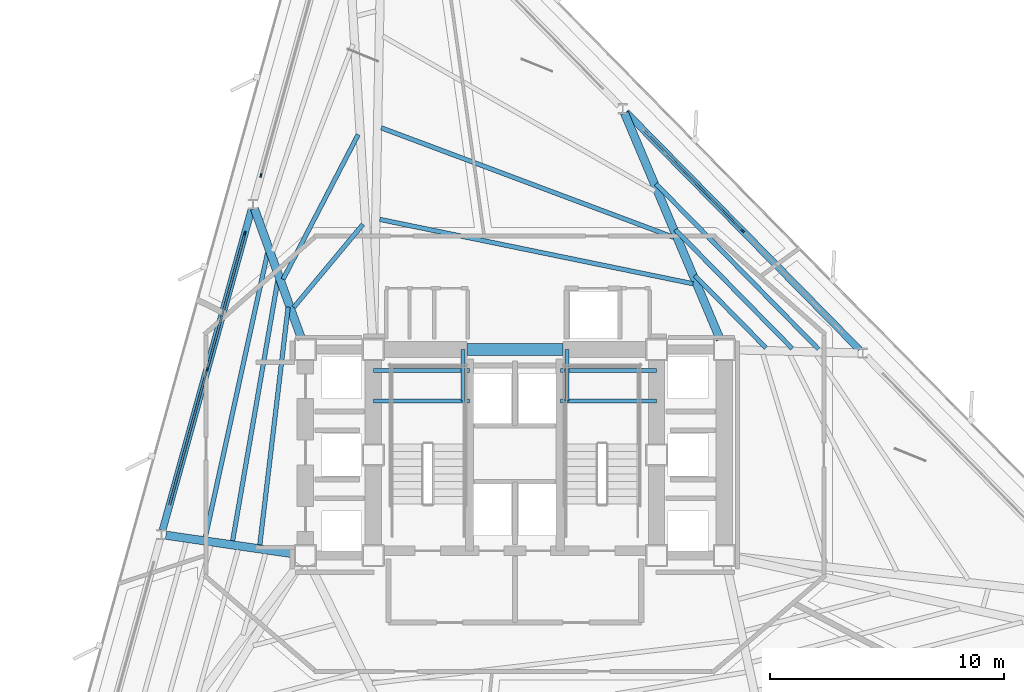
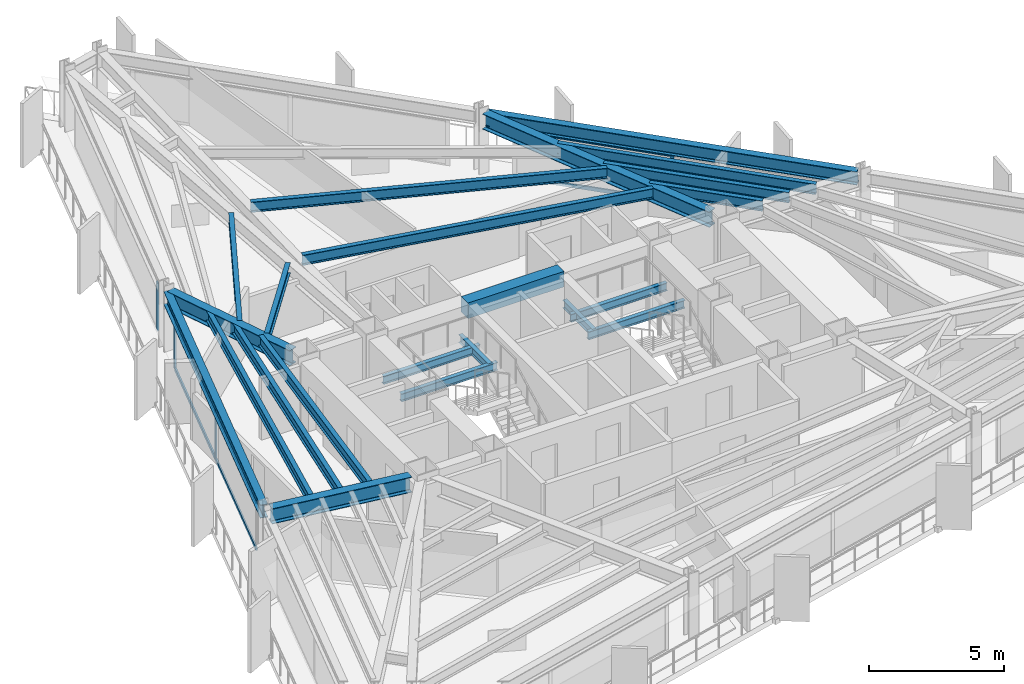
# One storey, part 3 of 11: 22 beams, 10 members, 3 elements without a shape of their own.
"""IFC4 building model written with IfcOpenShell, lengths in metres."""

import ifcopenshell
import ifcopenshell.guid

model = None  # the IFC model being written
_history = None  # IfcOwnerHistory: only IFC2X3 demands one
_inside = {}  # id of a spatial element -> (the spatial element, [elements in it])
_under = {}  # id of a project, library or spatial element -> (it, [spatial elements below it])
_declared = {}  # id of a project -> (the project, [libraries it declares])
_typed = {}  # id of a type object -> (the type object, [elements of that type])
_made_of = {}  # id of a material, layer set ... -> (it, [elements and type objects made of it])


def new_model(schema):
    """Start an empty IFC model of exactly this schema.

    Asked for "IFC4X3", IfcOpenShell would pick the latest addendum, in which some entities
    have other attributes; the version numbers below select the first issue.
    IFC2X3 requires an IfcOwnerHistory on every rooted entity: one is made here for all.
    """
    global model, _history
    if schema == "IFC4X3":
        model = ifcopenshell.file(schema_version=(4, 3, 0, 0))
    else:
        model = ifcopenshell.file(schema=schema)
    _inside.clear()
    _under.clear()
    _declared.clear()
    _typed.clear()
    _made_of.clear()
    _history = None
    if model.schema == "IFC2X3":
        org = make("IfcOrganization", Name="unknown")
        user = make(
            "IfcPersonAndOrganization",
            ThePerson=make("IfcPerson", FamilyName="unknown"),
            TheOrganization=org,
        )
        app = make(
            "IfcApplication",
            ApplicationDeveloper=org,
            Version="unknown",
            ApplicationFullName="unknown",
            ApplicationIdentifier="unknown",
        )
        _history = make(
            "IfcOwnerHistory",
            OwningUser=user,
            OwningApplication=app,
            ChangeAction="ADDED",
            CreationDate=0,
        )
    return model


def make(cls, **values):
    """One entity of the class cls with the attributes given. An attribute that is None is left unset."""
    return model.create_entity(
        cls, **{name: value for name, value in values.items() if value is not None}
    )


def rooted(cls, **values):
    """An entity with a GlobalId (a new one), such as an element, a storey or a relation."""
    return make(cls, GlobalId=ifcopenshell.guid.new(), OwnerHistory=_history, **values)


def si_unit(unit_type, name, prefix=None):
    """IfcSIUnit, for example si_unit("LENGTHUNIT", "METRE", prefix="MILLI")."""
    return make("IfcSIUnit", UnitType=unit_type, Prefix=prefix, Name=name)


def assignment(units):
    """IfcUnitAssignment: the units of a project."""
    return None if units is None else make("IfcUnitAssignment", Units=units)


def point(xyz):
    """IfcCartesianPoint."""
    return None if xyz is None else make("IfcCartesianPoint", Coordinates=xyz)


def direction(xyz):
    """IfcDirection."""
    return None if xyz is None else make("IfcDirection", DirectionRatios=xyz)


def frame(location, z_axis=None, x_axis=None):
    """IfcAxis2Placement3D, a coordinate frame: its origin and axes. An axis left out is left unset."""
    return make(
        "IfcAxis2Placement3D",
        Location=point(location),
        Axis=direction(z_axis),
        RefDirection=direction(x_axis),
    )


def frame_2d(location, x_axis=None):
    """IfcAxis2Placement2D, a coordinate frame in the plane: its origin and x axis."""
    return make(
        "IfcAxis2Placement2D", Location=point(location), RefDirection=direction(x_axis)
    )


def origin():
    """The frame at (0, 0, 0) with its axes left unset."""
    return frame((0.0, 0.0, 0.0))


def origin_2d():
    """The frame at (0, 0) in the plane with its x axis left unset."""
    return frame_2d((0.0, 0.0))


def place(relative_to, where):
    """IfcLocalPlacement: puts the frame where relative to a parent placement (None: the world)."""
    return make(
        "IfcLocalPlacement", PlacementRelTo=relative_to, RelativePlacement=where
    )


def context(
    kind, dimensions, precision=None, world=None, true_north=None, identifier=None
):
    """IfcGeometricRepresentationContext, for example the 3D "Model" context."""
    return make(
        "IfcGeometricRepresentationContext",
        ContextIdentifier=identifier,
        ContextType=kind,
        CoordinateSpaceDimension=dimensions,
        Precision=precision,
        WorldCoordinateSystem=world,
        TrueNorth=true_north,
    )


def subcontext(parent, identifier, kind, view, scale=None):
    """IfcGeometricRepresentationSubContext, for example "Body" below "Model"."""
    return make(
        "IfcGeometricRepresentationSubContext",
        ContextIdentifier=identifier,
        ContextType=kind,
        ParentContext=parent,
        TargetScale=scale,
        TargetView=view,
    )


def project(units=None, contexts=None):
    """IfcProject with its units and contexts."""
    return rooted(
        "IfcProject",
        Name="project",
        RepresentationContexts=contexts,
        UnitsInContext=assignment(units),
    )


def spatial(cls, under=None, at=None, **own):
    """A site, building, storey or space (cls), placed at a placement, below another one or the project."""
    s = rooted(cls, ObjectPlacement=at, **own)
    if under is not None:
        _under.setdefault(under.id(), (under, []))[1].append(s)
    return s


def profile(cls, at=None, kind="AREA", **sizes):
    """A parametric profile (cls). Its sizes go by their IFC names, for example OverallWidth=200.0."""
    return make(cls, ProfileType=kind, Position=at, **sizes)


def rectangle(**sizes):
    """IfcRectangleProfileDef."""
    return profile("IfcRectangleProfileDef", **sizes)


def i_section(**sizes):
    """IfcIShapeProfileDef."""
    return profile("IfcIShapeProfileDef", **sizes)


def extrude(swept, where, along, depth):
    """IfcExtrudedAreaSolid: the profile swept, set in the frame where, extruded along a direction by depth."""
    return make(
        "IfcExtrudedAreaSolid",
        SweptArea=swept,
        Position=where,
        ExtrudedDirection=direction(along),
        Depth=depth,
    )


def shape(context_of_items, identifier, shape_type, items):
    """IfcShapeRepresentation: the items that make up one representation, for example the "Body"."""
    return make(
        "IfcShapeRepresentation",
        ContextOfItems=context_of_items,
        RepresentationIdentifier=identifier,
        RepresentationType=shape_type,
        Items=items,
    )


def material(Name=None, Category=None):
    """IfcMaterial."""
    return make("IfcMaterial", Name=Name, Category=Category)


def layer(
    of_material, thickness, ventilated=None, Name=None, Category=None, Priority=None
):
    """IfcMaterialLayer: one layer of a wall or slab, of a material (None: an air gap)."""
    return make(
        "IfcMaterialLayer",
        Material=of_material,
        LayerThickness=thickness,
        IsVentilated=ventilated,
        Name=Name,
        Category=Category,
        Priority=Priority,
    )


def layer_set(layers, Name=None):
    """IfcMaterialLayerSet."""
    return make("IfcMaterialLayerSet", MaterialLayers=layers, LayerSetName=Name)


def material_profile(
    of_material, cross_section, Name=None, Category=None, Priority=None
):
    """IfcMaterialProfile: a cross section and its material."""
    return make(
        "IfcMaterialProfile",
        Name=Name,
        Material=of_material,
        Profile=cross_section,
        Priority=Priority,
        Category=Category,
    )


def profile_set(profiles, Name=None, composite=None):
    """IfcMaterialProfileSet."""
    return make(
        "IfcMaterialProfileSet",
        Name=Name,
        MaterialProfiles=profiles,
        CompositeProfile=composite,
    )


def made_of(thing, what):
    """Note that an element or type object is made of a material, layer set ...; save() writes the relation."""
    if what is not None:
        _made_of.setdefault(what.id(), (what, []))[1].append(thing)
    return thing


def type_object(cls, material=None, **own):
    """A type object (cls), such as IfcWallType, which elements share."""
    return made_of(rooted(cls, **own), material)


def element(
    cls,
    number,
    at=None,
    inside=None,
    cuts=None,
    type_object=None,
    material=None,
    context=None,
    identifier="Body",
    shape_type=None,
    held_by="IfcProductDefinitionShape",
    body=None,
    shapes=None,
    **own,
):
    """One element of the class cls, such as IfcWall. Its Tag is "e" and its number.

    at: its placement. inside: the storey or other place that contains it. cuts: it is an
    opening in that element (IfcRelVoidsElement). A single representation is given by context,
    identifier, shape_type and body (its items); several are given by shapes. held_by: the class
    of the entity that holds the representations. save() writes the other relations.
    """
    e = rooted(cls, Tag="e%d" % number, ObjectPlacement=at, **own)
    if body is not None:
        shapes = [shape(context, identifier, shape_type, body)]
    if shapes is not None:
        e.Representation = make(held_by, Representations=shapes)
    if inside is not None:
        _inside.setdefault(inside.id(), (inside, []))[1].append(e)
    if cuts is not None:
        rooted(
            "IfcRelVoidsElement", RelatingBuildingElement=cuts, RelatedOpeningElement=e
        )
    if type_object is not None:
        _typed.setdefault(type_object.id(), (type_object, []))[1].append(e)
    return made_of(e, material)


def aggregate(whole, parts):
    """IfcRelAggregates: a whole, such as a stair, and the parts it consists of."""
    return rooted("IfcRelAggregates", RelatingObject=whole, RelatedObjects=parts)


def save(model, path):
    """Write the relations noted so far, then the file.

    IfcRelAggregates (storeys below a building ...), IfcRelContainedInSpatialStructure (elements
    in a storey), IfcRelDefinesByType, IfcRelAssociatesMaterial and IfcRelDeclares: one each for
    every whole, place, type object, material and project.
    """
    for whole, parts in _under.values():
        aggregate(whole, parts)
    for where, things in _inside.values():
        rooted(
            "IfcRelContainedInSpatialStructure",
            RelatedElements=things,
            RelatingStructure=where,
        )
    for kind, things in _typed.values():
        rooted("IfcRelDefinesByType", RelatedObjects=things, RelatingType=kind)
    for what, things in _made_of.values():
        rooted("IfcRelAssociatesMaterial", RelatedObjects=things, RelatingMaterial=what)
    for by, libraries in _declared.values():
        rooted("IfcRelDeclares", RelatingContext=by, RelatedDefinitions=libraries)
    model.write(path)


model = new_model("IFC4")

# Units and contexts
model_context = context("Model", 3, precision=1e-05, world=origin(), true_north=direction((0.0, 1.0)))
body_context = subcontext(model_context, "Body", "Model", "MODEL_VIEW")
ifc_project = project(units=[si_unit("LENGTHUNIT", "METRE"), si_unit("AREAUNIT", "SQUARE_METRE"), si_unit("VOLUMEUNIT", "CUBIC_METRE"), si_unit("PLANEANGLEUNIT", "RADIAN"), si_unit("MASSUNIT", "GRAM", prefix="KILO")], contexts=[model_context])

# Site, building, storey
site_placement = place(None, origin())
site = spatial("IfcSite", under=ifc_project, at=site_placement, CompositionType="ELEMENT")
building_placement = place(site_placement, origin())
building = spatial("IfcBuilding", under=site, at=building_placement, Name="Rocaltana Carrier Exchange", CompositionType="ELEMENT")
storey_placement = place(building_placement, frame((0.0, 0.0, 88.639892578125)))
storey = spatial("IfcBuildingStorey", under=building, at=storey_placement, Name="L27", CompositionType="ELEMENT", Elevation=88.639892578125)

# Curtain wall, member
ifc_material_1 = material(Name="Aluminium 6063-T6", Category="aluminium")
ifc_layer = layer(ifc_material_1, 0.1650390625)
ifc_layer_set = layer_set([ifc_layer], Name="Aluminium 6063-T6")
curtain_wall_type = type_object("IfcCurtainWallType", Name="Lower-Mid Stepped Curtain Wall CW-02", PredefinedType="NOTDEFINED", material=ifc_layer_set)
curtain_wall_1_placement = place(storey_placement, origin())
curtain_wall_1 = element("IfcCurtainWall", 1, at=curtain_wall_1_placement, inside=storey, type_object=curtain_wall_type, Name="L27 CW-02 Run CW-L27-F1S2", PredefinedType="NOTDEFINED")
ifc_material_2 = material(Name="Aluminium 6063-T6", Category="aluminium")
ifc_material_profile_1 = material_profile(ifc_material_2, rectangle(XDim=0.06494140625, YDim=0.1650390625, at=origin_2d()), Name="AL-65X165")
ifc_profile_set_1 = profile_set([ifc_material_profile_1], Name="Aluminium 6063-T6")
member_type_1 = type_object("IfcMemberType", Name="CW-02 Mullion AL-65X165", PredefinedType="MULLION", material=ifc_profile_set_1)
member_1_placement = place(storey_placement, frame((9.732666015625, 9.564453125, 0.0), z_axis=(0.0, 0.0, 1.0), x_axis=(-0.713244696676, -0.700915118017, 0.0)))
member_1 = element("IfcMember", 2, at=member_1_placement, type_object=member_type_1, Name="CW-02 mullion 2", PredefinedType="MULLION", context=body_context, shape_type="SweptSolid", body=[
    extrude(rectangle(XDim=0.06494140625, YDim=0.1650390625, at=origin_2d()), origin(), (0.0, 0.0, 1.0), 2.168212890625),
])

curtain_wall_2_placement = place(storey_placement, origin())
curtain_wall_2 = element("IfcCurtainWall", 3, at=curtain_wall_2_placement, inside=storey, type_object=curtain_wall_type, Name="L27 CW-02 Run CW-L27-F2S1", PredefinedType="NOTDEFINED")
member_2_placement = place(storey_placement, frame((-10.851318359375, 11.93310546875, 0.0), z_axis=(0.0, 0.0, 1.0), x_axis=(0.96362846453, -0.267245546918, 0.0)))
member_2 = element("IfcMember", 4, at=member_2_placement, type_object=member_type_1, Name="CW-02 mullion 3", PredefinedType="MULLION", context=body_context, shape_type="SweptSolid", body=[
    extrude(rectangle(XDim=0.06494140625, YDim=0.1650390625, at=origin_2d()), origin(), (0.0, 0.0, 1.0), 2.168212890625),
])
aggregate(curtain_wall_2, [member_2])

# Curtain wall, members
curtain_wall_3_placement = place(storey_placement, origin())
curtain_wall_3 = element("IfcCurtainWall", 5, at=curtain_wall_3_placement, inside=storey, type_object=curtain_wall_type, Name="L27 CW-02 Run CW-L27-F2S2", PredefinedType="NOTDEFINED")
member_3_placement = place(storey_placement, frame((-11.536865234375, 9.46142578125, 0.0), z_axis=(0.0, 0.0, 1.0), x_axis=(0.963630586954, -0.267237893807, 0.0)))
member_3 = element("IfcMember", 6, at=member_3_placement, type_object=member_type_1, Name="CW-02 mullion 1", PredefinedType="MULLION", context=body_context, shape_type="SweptSolid", body=[
    extrude(rectangle(XDim=0.06494140625, YDim=0.1650390625, at=origin_2d()), origin(), (0.0, 0.0, 1.0), 2.168212890625),
])
member_4_placement = place(storey_placement, frame((-13.1494140625, 3.646728515625, 0.0), z_axis=(0.0, 0.0, 1.0), x_axis=(0.963630586954, -0.267237893807, 0.0)))
member_4 = element("IfcMember", 7, at=member_4_placement, type_object=member_type_1, Name="CW-02 mullion 2", PredefinedType="MULLION", context=body_context, shape_type="SweptSolid", body=[
    extrude(rectangle(XDim=0.06494140625, YDim=0.1650390625, at=origin_2d()), origin(), (0.0, 0.0, 1.0), 2.168212890625),
])

# Member
ifc_material_3 = material(Name="Aluminium 6063-T6", Category="aluminium")
ifc_material_profile_2 = material_profile(ifc_material_3, rectangle(XDim=0.06494140625, YDim=0.1650390625, at=origin_2d()), Name="AL-65X165")
ifc_profile_set_2 = profile_set([ifc_material_profile_2], Name="Aluminium 6063-T6")
member_type_2 = type_object("IfcMemberType", Name="CW-02 Transom AL-65X165", PredefinedType="USERDEFINED", material=ifc_profile_set_2)
member_5_placement = place(storey_placement, frame((9.7099609375, 9.587646484375, 0.03271484375), z_axis=(-0.700924352217, 0.713235621985, 0.0), x_axis=(-0.713235621985, -0.700924352217, 0.0)))
member_5 = element("IfcMember", 8, at=member_5_placement, type_object=member_type_2, Name="CW-02 transom 2.1", ObjectType="TRANSOM", PredefinedType="USERDEFINED", context=body_context, shape_type="SweptSolid", body=[
    extrude(rectangle(XDim=0.06494140625, YDim=0.1650390625, at=origin_2d()), origin(), (0.0, 0.0, 1.0), 5.968994140625),
])

member_6_placement = place(storey_placement, frame((9.7099609375, 9.587646484375, 2.135498046875), z_axis=(-0.700924352217, 0.713235621985, 0.0), x_axis=(-0.713235621985, -0.700924352217, 0.0)))
member_6 = element("IfcMember", 9, at=member_6_placement, type_object=member_type_2, Name="CW-02 transom 2.2", ObjectType="TRANSOM", PredefinedType="USERDEFINED", context=body_context, shape_type="SweptSolid", body=[
    extrude(rectangle(XDim=0.06494140625, YDim=0.1650390625, at=origin_2d()), origin(), (0.0, 0.0, 1.0), 5.968994140625),
])

aggregate(curtain_wall_1, [member_1, member_5, member_6])

member_7_placement = place(storey_placement, frame((-11.54541015625, 9.43017578125, 0.03271484375), z_axis=(-0.267236720875, -0.963630912235, 0.0), x_axis=(0.963630912235, -0.267236720875, 0.0)))
member_7 = element("IfcMember", 10, at=member_7_placement, type_object=member_type_2, Name="CW-02 transom 1.1", ObjectType="TRANSOM", PredefinedType="USERDEFINED", context=body_context, shape_type="SweptSolid", body=[
    extrude(rectangle(XDim=0.06494140625, YDim=0.1650390625, at=origin_2d()), origin(), (0.0, 0.0, 1.0), 5.96923828125),
])

member_8_placement = place(storey_placement, frame((-11.54541015625, 9.43017578125, 2.135498046875), z_axis=(-0.267236720875, -0.963630912235, 0.0), x_axis=(0.963630912235, -0.267236720875, 0.0)))
member_8 = element("IfcMember", 11, at=member_8_placement, type_object=member_type_2, Name="CW-02 transom 1.2", ObjectType="TRANSOM", PredefinedType="USERDEFINED", context=body_context, shape_type="SweptSolid", body=[
    extrude(rectangle(XDim=0.06494140625, YDim=0.1650390625, at=origin_2d()), origin(), (0.0, 0.0, 1.0), 5.96923828125),
])

member_9_placement = place(storey_placement, frame((-13.157958984375, 3.615234375, 0.03271484375), z_axis=(-0.26724725359, -0.963627991213, 0.0), x_axis=(0.963627991213, -0.26724725359, 0.0)))
member_9 = element("IfcMember", 12, at=member_9_placement, type_object=member_type_2, Name="CW-02 transom 2.1", ObjectType="TRANSOM", PredefinedType="USERDEFINED", context=body_context, shape_type="SweptSolid", body=[
    extrude(rectangle(XDim=0.06494140625, YDim=0.1650390625, at=origin_2d()), origin(), (0.0, 0.0, 1.0), 5.968994140625),
])

member_10_placement = place(storey_placement, frame((-13.157958984375, 3.615234375, 2.135498046875), z_axis=(-0.26724725359, -0.963627991213, 0.0), x_axis=(0.963627991213, -0.26724725359, 0.0)))
member_10 = element("IfcMember", 13, at=member_10_placement, type_object=member_type_2, Name="CW-02 transom 2.2", ObjectType="TRANSOM", PredefinedType="USERDEFINED", context=body_context, shape_type="SweptSolid", body=[
    extrude(rectangle(XDim=0.06494140625, YDim=0.1650390625, at=origin_2d()), origin(), (0.0, 0.0, 1.0), 5.968994140625),
])

aggregate(curtain_wall_3, [member_3, member_4, member_7, member_8, member_9, member_10])

# Beams
ifc_material_4 = material(Name="Concrete C60/75", Category="concrete")
ifc_material_profile_3 = material_profile(ifc_material_4, rectangle(XDim=0.5, YDim=0.699951171875, at=origin_2d()), Name="RC-BM-500X700")
ifc_profile_set_3 = profile_set([ifc_material_profile_3], Name="Concrete C60/75")
beam_type_1 = type_object("IfcBeamType", Name="Core Coupling Lintel 500x700", PredefinedType="LINTEL", material=ifc_profile_set_3)
beam_1_placement = place(storey_placement, frame((-2.050048828125, 4.5, 2.43798828125), z_axis=(1.0, 0.0, 0.0), x_axis=(0.0, 1.0, 0.0)))
element("IfcBeam", 14, at=beam_1_placement, inside=storey, type_object=beam_type_1, Name="L27 Core Coupling Lintel CL-N", PredefinedType="LINTEL", context=body_context, shape_type="SweptSolid", body=[
    extrude(rectangle(XDim=0.5, YDim=0.699951171875, at=origin_2d()), origin(), (0.0, 0.0, 1.0), 4.10009765625),
])
ifc_material_5 = material(Name="Steel S355", Category="steel")
ifc_material_profile_4 = material_profile(ifc_material_5, i_section(OverallWidth=0.172119140625, OverallDepth=0.35791015625, WebThickness=0.0078125, FlangeThickness=0.01318359375, FilletRadius=0.011962890625, at=origin_2d()), Name="W14X38")
ifc_profile_set_4 = profile_set([ifc_material_profile_4], Name="Steel S355")
beam_type_2 = type_object("IfcBeamType", Name="Floor Joist W14X38", PredefinedType="JOIST", material=ifc_profile_set_4)
for number, where, z_axis, x_axis, name in (
    (15, (-6.050048828125, 2.300048828125, 1.14111328125), (1.0, 0.0, 0.0), (0.0, 1.0, 0.0), "L27 ST-1 Landing Carrier 1"),
    (16, (1.93994140625, 2.300048828125, 1.14111328125), (1.0, 0.0, 0.0), (0.0, 1.0, 0.0), "L27 ST-2 Landing Carrier 1"),
    (17, (-6.050048828125, 3.60009765625, 1.14111328125), (1.0, 0.0, 0.0), (0.0, 1.0, 0.0), "L27 ST-1 Landing Carrier 2"),
    (18, (1.93994140625, 3.60009765625, 1.14111328125), (1.0, 0.0, 0.0), (0.0, 1.0, 0.0), "L27 ST-2 Landing Carrier 2"),
):
    element("IfcBeam", number, at=place(storey_placement, frame(where, z_axis=z_axis, x_axis=x_axis)), inside=storey, type_object=beam_type_2, Name=name, PredefinedType="JOIST", context=body_context, shape_type="SweptSolid", body=[
        extrude(i_section(OverallWidth=0.172119140625, OverallDepth=0.35791015625, WebThickness=0.0078125, FlangeThickness=0.01318359375, FilletRadius=0.011962890625, at=origin_2d()), origin(), (0.0, 0.0, 1.0), 4.110107421875),
    ])
for number, where, z_axis, x_axis, name in (
    (19, (-2.219970703125, 2.300048828125, 1.14111328125), (0.0, 1.0, 0.0), (-1.0, 0.0, 0.0), "L27 ST-1 Landing Cross Trimmer"),
    (20, (2.219970703125, 2.300048828125, 1.14111328125), (0.0, 1.0, 0.0), (-1.0, 0.0, 0.0), "L27 ST-2 Landing Cross Trimmer"),
):
    element("IfcBeam", number, at=place(storey_placement, frame(where, z_axis=z_axis, x_axis=x_axis)), inside=storey, type_object=beam_type_2, Name=name, PredefinedType="JOIST", context=body_context, shape_type="SweptSolid", body=[
        extrude(i_section(OverallWidth=0.172119140625, OverallDepth=0.35791015625, WebThickness=0.0078125, FlangeThickness=0.01318359375, FilletRadius=0.011962890625, at=origin_2d()), origin(), (0.0, 0.0, 1.0), 2.199951171875),
    ])
ifc_material_6 = material(Name="Steel S355", Category="steel")
ifc_material_profile_5 = material_profile(ifc_material_6, i_section(OverallWidth=0.193115234375, OverallDepth=0.466064453125, WebThickness=0.011474609375, FlangeThickness=0.01904296875, FilletRadius=0.013916015625, at=origin_2d()), Name="W18X65")
ifc_profile_set_5 = profile_set([ifc_material_profile_5], Name="Steel S355")
beam_type_3 = type_object("IfcBeamType", Name="Floor Joist W18X65", PredefinedType="JOIST", material=ifc_profile_set_5)
beam_2_placement = place(storey_placement, frame((10.72119140625, 4.572998046875, 2.55517578125), z_axis=(-0.700891063864, 0.713268334216, 0.0), x_axis=(-0.713268334216, -0.700891063864, 0.0)))
element("IfcBeam", 21, at=beam_2_placement, inside=storey, type_object=beam_type_3, Name="FJ-L27-02-1", PredefinedType="JOIST", context=body_context, shape_type="SweptSolid", body=[
    extrude(i_section(OverallWidth=0.193115234375, OverallDepth=0.466064453125, WebThickness=0.011474609375, FlangeThickness=0.01904296875, FilletRadius=0.013916015625, at=origin_2d()), origin(), (0.0, 0.0, 1.0), 4.339599609375),
])
beam_3_placement = place(storey_placement, frame((11.844482421875, 4.543701171875, 2.55517578125), z_axis=(-0.700907768136, 0.713251919427, 0.0), x_axis=(-0.713251919427, -0.700907768136, 0.0)))
element("IfcBeam", 22, at=beam_3_placement, inside=storey, type_object=beam_type_3, Name="FJ-L27-02-2", PredefinedType="JOIST", context=body_context, shape_type="SweptSolid", body=[
    extrude(i_section(OverallWidth=0.193115234375, OverallDepth=0.466064453125, WebThickness=0.011474609375, FlangeThickness=0.01904296875, FilletRadius=0.013916015625, at=origin_2d()), origin(), (0.0, 0.0, 1.0), 7.1201171875),
])
beam_4_placement = place(storey_placement, frame((12.967529296875, 4.514404296875, 2.55517578125), z_axis=(-0.700914872746, 0.713244937706, 0.0), x_axis=(-0.713244937706, -0.700914872746, 0.0)))
element("IfcBeam", 23, at=beam_4_placement, inside=storey, type_object=beam_type_3, Name="FJ-L27-02-3", PredefinedType="JOIST", context=body_context, shape_type="SweptSolid", body=[
    extrude(i_section(OverallWidth=0.193115234375, OverallDepth=0.466064453125, WebThickness=0.011474609375, FlangeThickness=0.01904296875, FilletRadius=0.013916015625, at=origin_2d()), origin(), (0.0, 0.0, 1.0), 9.900146484375),
])
beam_5_placement = place(storey_placement, frame((7.608642578125, 7.310791015625, 2.55517578125), z_axis=(-0.979548911699, 0.201206186758, 0.0), x_axis=(-0.201206186758, -0.979548911699, 0.0)))
element("IfcBeam", 24, at=beam_5_placement, inside=storey, type_object=beam_type_3, Name="FJ-L27-03-1", PredefinedType="JOIST", context=body_context, shape_type="SweptSolid", body=[
    extrude(i_section(OverallWidth=0.193115234375, OverallDepth=0.466064453125, WebThickness=0.011474609375, FlangeThickness=0.01904296875, FilletRadius=0.013916015625, at=origin_2d()), origin(), (0.0, 0.0, 1.0), 13.66259765625),
])
beam_6_placement = place(storey_placement, frame((6.790283203125, 9.290283203125, 2.55517578125), z_axis=(-0.936459936045, 0.35077455464, 0.0), x_axis=(-0.35077455464, -0.936459936045, 0.0)))
element("IfcBeam", 25, at=beam_6_placement, inside=storey, type_object=beam_type_3, Name="FJ-L27-03-2", PredefinedType="JOIST", context=body_context, shape_type="SweptSolid", body=[
    extrude(i_section(OverallWidth=0.193115234375, OverallDepth=0.466064453125, WebThickness=0.011474609375, FlangeThickness=0.01904296875, FilletRadius=0.013916015625, at=origin_2d()), origin(), (0.0, 0.0, 1.0), 13.344482421875),
])
beam_7_placement = place(storey_placement, frame((-6.492919921875, 9.848876953125, 2.55517578125), z_axis=(-0.640163577039, -0.768238631307, 0.0), x_axis=(0.768238631307, -0.640163577039, 0.0)))
element("IfcBeam", 26, at=beam_7_placement, inside=storey, type_object=beam_type_3, Name="FJ-L27-05-1", PredefinedType="JOIST", context=body_context, shape_type="SweptSolid", body=[
    extrude(i_section(OverallWidth=0.193115234375, OverallDepth=0.466064453125, WebThickness=0.011474609375, FlangeThickness=0.01904296875, FilletRadius=0.013916015625, at=origin_2d()), origin(), (0.0, 0.0, 1.0), 4.613037109375),
])
beam_8_placement = place(storey_placement, frame((-6.6962890625, 13.68505859375, 2.55517578125), z_axis=(-0.46048496637, -0.887667502924, 0.0), x_axis=(0.887667502924, -0.46048496637, 0.0)))
element("IfcBeam", 27, at=beam_8_placement, inside=storey, type_object=beam_type_3, Name="FJ-L27-05-2", PredefinedType="JOIST", context=body_context, shape_type="SweptSolid", body=[
    extrude(i_section(OverallWidth=0.193115234375, OverallDepth=0.466064453125, WebThickness=0.011474609375, FlangeThickness=0.01904296875, FilletRadius=0.013916015625, at=origin_2d()), origin(), (0.0, 0.0, 1.0), 6.96435546875),
])
beam_9_placement = place(storey_placement, frame((-9.6884765625, 6.312744140625, 2.55517578125), z_axis=(-0.118374284941, -0.992969047184, 0.0), x_axis=(0.992969047184, -0.118374284941, 0.0)))
element("IfcBeam", 28, at=beam_9_placement, inside=storey, type_object=beam_type_3, Name="FJ-L27-06-1", PredefinedType="JOIST", context=body_context, shape_type="SweptSolid", body=[
    extrude(i_section(OverallWidth=0.193115234375, OverallDepth=0.466064453125, WebThickness=0.011474609375, FlangeThickness=0.01904296875, FilletRadius=0.013916015625, at=origin_2d()), origin(), (0.0, 0.0, 1.0), 10.227783203125),
])
beam_10_placement = place(storey_placement, frame((-10.123779296875, 7.49169921875, 2.55517578125), z_axis=(-0.170820187973, -0.985302219312, 0.0), x_axis=(0.985302219312, -0.170820187973, 0.0)))
element("IfcBeam", 29, at=beam_10_placement, inside=storey, type_object=beam_type_3, Name="FJ-L27-06-2", PredefinedType="JOIST", context=body_context, shape_type="SweptSolid", body=[
    extrude(i_section(OverallWidth=0.193115234375, OverallDepth=0.466064453125, WebThickness=0.011474609375, FlangeThickness=0.01904296875, FilletRadius=0.013916015625, at=origin_2d()), origin(), (0.0, 0.0, 1.0), 11.332275390625),
])
beam_11_placement = place(storey_placement, frame((-10.5576171875, 8.67041015625, 2.55517578125), z_axis=(-0.213747702255, -0.976888898381, 0.0), x_axis=(0.976888898381, -0.213747702255, 0.0)))
element("IfcBeam", 30, at=beam_11_placement, inside=storey, type_object=beam_type_3, Name="FJ-L27-06-3", PredefinedType="JOIST", context=body_context, shape_type="SweptSolid", body=[
    extrude(i_section(OverallWidth=0.193115234375, OverallDepth=0.466064453125, WebThickness=0.011474609375, FlangeThickness=0.01904296875, FilletRadius=0.013916015625, at=origin_2d()), origin(), (0.0, 0.0, 1.0), 12.463623046875),
])
ifc_material_7 = material(Name="Steel S355", Category="steel")
ifc_material_profile_6 = material_profile(ifc_material_7, i_section(OverallWidth=0.35498046875, OverallDepth=0.695068359375, WebThickness=0.015380859375, FlangeThickness=0.02490234375, FilletRadius=0.01806640625, at=origin_2d()), Name="W27X146")
ifc_profile_set_6 = profile_set([ifc_material_profile_6], Name="Steel S355")
beam_type_4 = type_object("IfcBeamType", Name="Radial Girder W27X146", PredefinedType="BEAM", material=ifc_profile_set_6)
beam_12_placement = place(storey_placement, frame((8.768310546875, 4.93017578125, 2.440673828125), z_axis=(-0.389283409267, 0.921118031128, 0.0), x_axis=(-0.921118031128, -0.389283409267, 0.0)))
element("IfcBeam", 31, at=beam_12_placement, inside=storey, type_object=beam_type_4, Name="RG-L27-03", PredefinedType="BEAM", context=body_context, shape_type="SweptSolid", body=[
    extrude(i_section(OverallWidth=0.35498046875, OverallDepth=0.695068359375, WebThickness=0.015380859375, FlangeThickness=0.02490234375, FilletRadius=0.01806640625, at=origin_2d()), origin(), (0.0, 0.0, 1.0), 10.49853515625),
])
beam_13_placement = place(storey_placement, frame((-9.10888671875, 4.939208984375, 2.440673828125), z_axis=(-0.340508906611, 0.940241290584, 0.0), x_axis=(-0.940241290584, -0.340508906611, 0.0)))
element("IfcBeam", 32, at=beam_13_placement, inside=storey, type_object=beam_type_4, Name="RG-L27-06", PredefinedType="BEAM", context=body_context, shape_type="SweptSolid", body=[
    extrude(i_section(OverallWidth=0.35498046875, OverallDepth=0.695068359375, WebThickness=0.015380859375, FlangeThickness=0.02490234375, FilletRadius=0.01806640625, at=origin_2d()), origin(), (0.0, 0.0, 1.0), 5.92578125),
])
beam_14_placement = place(storey_placement, frame((-9.412109375, -4.232666015625, 2.440673828125), z_axis=(-0.989566167389, 0.144079146162, 0.0), x_axis=(-0.144079146162, -0.989566167389, 0.0)))
element("IfcBeam", 33, at=beam_14_placement, inside=storey, type_object=beam_type_4, Name="RG-L27-07", PredefinedType="BEAM", context=body_context, shape_type="SweptSolid", body=[
    extrude(i_section(OverallWidth=0.35498046875, OverallDepth=0.695068359375, WebThickness=0.015380859375, FlangeThickness=0.02490234375, FilletRadius=0.01806640625, at=origin_2d()), origin(), (0.0, 0.0, 1.0), 5.554443359375),
])
ifc_material_8 = material(Name="Steel S355", Category="steel")
ifc_material_profile_7 = material_profile(ifc_material_8, i_section(OverallWidth=0.300048828125, OverallDepth=0.60009765625, WebThickness=0.015380859375, FlangeThickness=0.030029296875, FilletRadius=0.027099609375, at=origin_2d()), Name="HEB600")
ifc_profile_set_7 = profile_set([ifc_material_profile_7], Name="Steel S355")
beam_type_5 = type_object("IfcBeamType", Name="Spandrel Edge Beam HEB600", PredefinedType="SPANDREL", material=ifc_profile_set_7)
beam_15_placement = place(storey_placement, frame((14.722412109375, 4.48681640625, 2.488037109375), z_axis=(-0.700906711307, 0.713252957965, 0.0), x_axis=(-0.713252957965, -0.700906711307, 0.0)))
element("IfcBeam", 34, at=beam_15_placement, inside=storey, type_object=beam_type_5, Name="SP-L27-02", PredefinedType="SPANDREL", context=body_context, shape_type="SweptSolid", body=[
    extrude(i_section(OverallWidth=0.300048828125, OverallDepth=0.60009765625, WebThickness=0.015380859375, FlangeThickness=0.030029296875, FilletRadius=0.027099609375, at=origin_2d()), origin(), (0.0, 0.0, 1.0), 14.237548828125),
])
beam_16_placement = place(storey_placement, frame((-11.2470703125, 10.50634765625, 2.488037109375), z_axis=(-0.267234351395, -0.963631569343, 0.0), x_axis=(0.963631569343, -0.267234351395, 0.0)))
element("IfcBeam", 35, at=beam_16_placement, inside=storey, type_object=beam_type_5, Name="SP-L27-06", PredefinedType="SPANDREL", context=body_context, shape_type="SweptSolid", body=[
    extrude(i_section(OverallWidth=0.300048828125, OverallDepth=0.60009765625, WebThickness=0.015380859375, FlangeThickness=0.030029296875, FilletRadius=0.027099609375, at=origin_2d()), origin(), (0.0, 0.0, 1.0), 14.2373046875),
])

save(model, "model.ifc")
